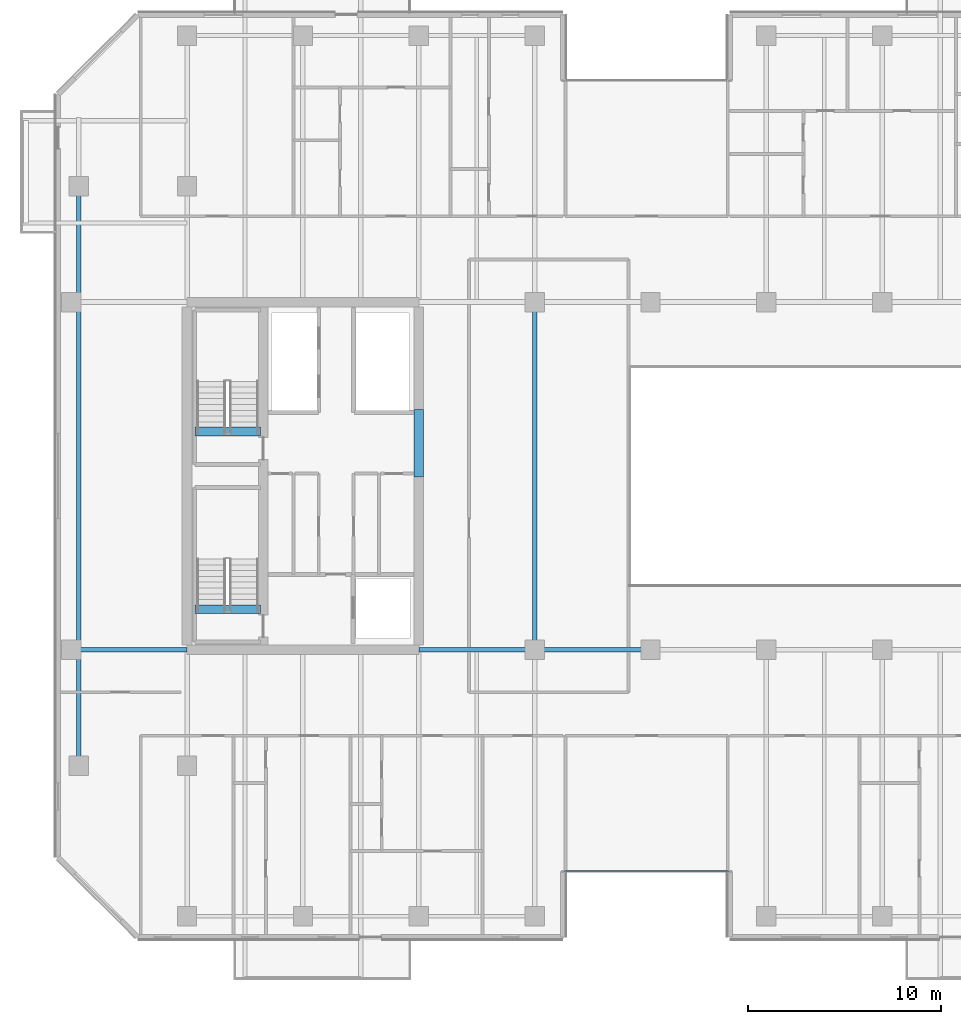
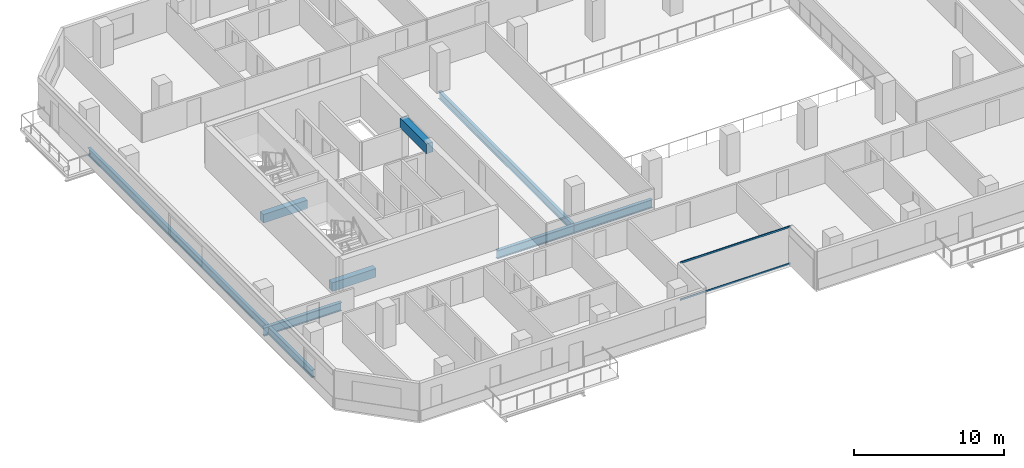
# One storey, part 3 of 23: 8 beams, 2 members, 1 element without a shape of its own.
"""IFC4 building model written with IfcOpenShell, lengths in metres."""

from ifc_helpers import new_model, si_unit, direction, frame, origin, origin_2d, place, context, subcontext, project, spatial, rectangle, hollow_rectangle, i_section, extrude, material, layer, layer_set, material_profile, profile_set, type_object, element, aggregate, save


model = new_model("IFC4")

# Units and contexts
model_context = context("Model", 3, precision=1e-05, world=origin(), true_north=direction((0.0, 1.0)))
body_context = subcontext(model_context, "Body", "Model", "MODEL_VIEW")
ifc_project = project(units=[si_unit("LENGTHUNIT", "METRE"), si_unit("AREAUNIT", "SQUARE_METRE"), si_unit("VOLUMEUNIT", "CUBIC_METRE"), si_unit("PLANEANGLEUNIT", "RADIAN"), si_unit("MASSUNIT", "GRAM", prefix="KILO")], contexts=[model_context])

# Site, building, storey
site_placement = place(None, origin())
site = spatial("IfcSite", under=ifc_project, at=site_placement, CompositionType="ELEMENT")
building_placement = place(site_placement, origin())
building = spatial("IfcBuilding", under=site, at=building_placement, Name="Tanjung Sevakor Pilgrim Tower", CompositionType="ELEMENT")
storey_placement = place(building_placement, frame((0.0, 0.0, 85.469970703125)))
storey = spatial("IfcBuildingStorey", under=building, at=storey_placement, Name="L23", CompositionType="ELEMENT", Elevation=85.469970703125)

# Beams
ifc_material_1 = material(Name="Steel S355J2", Category="steel")
ifc_material_profile_1 = material_profile(ifc_material_1, i_section(OverallWidth=0.25439453125, OverallDepth=0.6875, WebThickness=0.01318359375, FlangeThickness=0.02099609375, FilletRadius=0.01513671875, at=origin_2d()))
ifc_profile_set_1 = profile_set([ifc_material_profile_1], Name="Steel S355J2")
beam_type_1 = type_object("IfcBeamType", Name="BM-B-G2-UB_686x254x152", PredefinedType="BEAM", material=ifc_profile_set_1)
for number, where, z_axis, x_axis, name in (
    (1, (18.0, 24.60009765625, -0.563720703125), (1.0, 0.0, 0.0), (0.0, 1.0, 0.0), "L23 Primary Floor Girder MAIN Y246-01"),
    (2, (36.0, 24.60009765625, -0.563720703125), (1.0, 0.0, 0.0), (0.0, 1.0, 0.0), "L23 Primary Floor Girder MAIN Y246-02"),
    (3, (42.0, 24.60009765625, -0.563720703125), (1.0, 0.0, 0.0), (0.0, 1.0, 0.0), "L23 Primary Floor Girder MAIN Y246-03"),
):
    element("IfcBeam", number, at=place(storey_placement, frame(where, z_axis=z_axis, x_axis=x_axis)), inside=storey, type_object=beam_type_1, Name=name, PredefinedType="BEAM", context=body_context, shape_type="SweptSolid", body=[
        extrude(i_section(OverallWidth=0.25439453125, OverallDepth=0.6875, WebThickness=0.01318359375, FlangeThickness=0.02099609375, FilletRadius=0.01513671875, at=origin_2d()), origin(), (0.0, 0.0, 1.0), 6.0),
    ])
ifc_material_2 = material(Name="Steel S355J2", Category="steel")
ifc_material_profile_2 = material_profile(ifc_material_2, i_section(OverallWidth=0.230224609375, OverallDepth=0.6171875, WebThickness=0.01318359375, FlangeThickness=0.022216796875, FilletRadius=0.0126953125, at=origin_2d()))
ifc_profile_set_2 = profile_set([ifc_material_profile_2], Name="Steel S355J2")
beam_type_2 = type_object("IfcBeamType", Name="BM-B-G3-UB_610x229x140", PredefinedType="BEAM", material=ifc_profile_set_2)
beam_1_placement = place(storey_placement, frame((42.0, 24.60009765625, -0.528564453125), z_axis=(0.0, 1.0, 0.0), x_axis=(-1.0, 0.0, 0.0)))
element("IfcBeam", 4, at=beam_1_placement, inside=storey, type_object=beam_type_2, Name="L23 MAIN Girder 010", PredefinedType="BEAM", context=body_context, shape_type="SweptSolid", body=[
    extrude(i_section(OverallWidth=0.230224609375, OverallDepth=0.6171875, WebThickness=0.01318359375, FlangeThickness=0.022216796875, FilletRadius=0.0126953125, at=origin_2d()), origin(), (0.0, 0.0, 1.0), 18.0),
])
ifc_material_3 = material(Name="Steel S355J2", Category="steel")
ifc_material_profile_3 = material_profile(ifc_material_3, i_section(OverallWidth=0.22900390625, OverallDepth=0.6123046875, WebThickness=0.011962890625, FlangeThickness=0.01953125, FilletRadius=0.0126953125, at=origin_2d()))
ifc_profile_set_3 = profile_set([ifc_material_profile_3], Name="Steel S355J2")
beam_type_3 = type_object("IfcBeamType", Name="BM-B-G4-UB_610x229x125", PredefinedType="BEAM", material=ifc_profile_set_3)
beam_2_placement = place(storey_placement, frame((18.39990234375, 18.60009765625, -0.526123046875), z_axis=(0.0, 1.0, 0.0), x_axis=(-1.0, 0.0, 0.0)))
element("IfcBeam", 5, at=beam_2_placement, inside=storey, type_object=beam_type_3, Name="L23 Short-End Edge Girder W", PredefinedType="BEAM", context=body_context, shape_type="SweptSolid", body=[
    extrude(i_section(OverallWidth=0.22900390625, OverallDepth=0.6123046875, WebThickness=0.011962890625, FlangeThickness=0.01953125, FilletRadius=0.0126953125, at=origin_2d()), origin(), (0.0, 0.0, 1.0), 30.0),
])
ifc_material_4 = material(Name="Concrete C60/75", Category="concrete")
ifc_material_profile_4 = material_profile(ifc_material_4, rectangle(XDim=0.5, YDim=0.800048828125, at=origin_2d()))
ifc_profile_set_4 = profile_set([ifc_material_profile_4], Name="Concrete C60/75")
beam_type_4 = type_object("IfcBeamType", Name="BM-B-LN2-RC-BM_500x800", PredefinedType="LINTEL", material=ifc_profile_set_4)
beam_3_placement = place(storey_placement, frame((36.0, 33.550048828125, 2.679931640625), z_axis=(0.0, 1.0, 0.0), x_axis=(-1.0, 0.0, 0.0)))
element("IfcBeam", 6, at=beam_3_placement, inside=storey, type_object=beam_type_4, Name="L23 W Core Coupling Lintel", PredefinedType="LINTEL", context=body_context, shape_type="SweptSolid", body=[
    extrude(rectangle(XDim=0.5, YDim=0.800048828125, at=origin_2d()), origin(), (0.0, 0.0, 1.0), 3.5),
])
ifc_material_5 = material(Name="Concrete C60/75", Category="concrete")
ifc_material_profile_5 = material_profile(ifc_material_5, rectangle(XDim=0.449951171875, YDim=0.699951171875, at=origin_2d()))
ifc_profile_set_5 = profile_set([ifc_material_profile_5], Name="Concrete C60/75")
beam_type_5 = type_object("IfcBeamType", Name="BM-B-LN3-RC-BM_450x700", PredefinedType="LINTEL", material=ifc_profile_set_5)
for number, where, z_axis, x_axis, name in (
    (7, (24.39990234375, 26.699951171875, -0.349853515625), (1.0, 0.0, 0.0), (0.0, 1.0, 0.0), "L23 TS-W1 Stair Threshold Beam"),
    (8, (24.39990234375, 35.89990234375, -0.349853515625), (1.0, 0.0, 0.0), (0.0, 1.0, 0.0), "L23 TS-W2 Stair Threshold Beam"),
):
    element("IfcBeam", number, at=place(storey_placement, frame(where, z_axis=z_axis, x_axis=x_axis)), inside=storey, type_object=beam_type_5, Name=name, PredefinedType="LINTEL", context=body_context, shape_type="SweptSolid", body=[
        extrude(rectangle(XDim=0.449951171875, YDim=0.699951171875, at=origin_2d()), origin(), (0.0, 0.0, 1.0), 3.400146484375),
    ])

# Curtain wall, members
ifc_material_6 = material(Name="Aluminium 6063-T6 and Low-E Glass", Category="aluminium")
ifc_layer = layer(ifc_material_6, 0.179931640625)
ifc_layer_set = layer_set([ifc_layer], Name="CW-SYS-CLEFT")
curtain_wall_type = type_object("IfcCurtainWallType", Name="CW-SYS-CLEFT", PredefinedType="NOTDEFINED", material=ifc_layer_set)
curtain_wall_placement = place(storey_placement, origin())
curtain_wall = element("IfcCurtainWall", 9, at=curtain_wall_placement, inside=storey, type_object=curtain_wall_type, Name="L23 Curtain Wall CW-CLF-L23-2", PredefinedType="NOTDEFINED")
ifc_material_7 = material(Name="Aluminium 6063-T6", Category="aluminium")
ifc_material_profile_6 = material_profile(ifc_material_7, hollow_rectangle(XDim=0.06494140625, YDim=0.139892578125, WallThickness=0.00390625, at=origin_2d()))
ifc_profile_set_6 = profile_set([ifc_material_profile_6], Name="Aluminium 6063-T6")
member_type = type_object("IfcMemberType", Name="TYPE-CWT-1", PredefinedType="USERDEFINED", material=ifc_profile_set_6)
member_1_placement = place(storey_placement, frame((43.550048828125, 13.125, 0.032470703125), z_axis=(1.0, 0.0, 0.0), x_axis=(0.0, 1.0, 0.0)))
member_1 = element("IfcMember", 10, at=member_1_placement, type_object=member_type, Name="CW-CLF transom 1.1", ObjectType="TRANSOM", PredefinedType="USERDEFINED", context=body_context, shape_type="SweptSolid", body=[
    extrude(hollow_rectangle(XDim=0.06494140625, YDim=0.139892578125, WallThickness=0.00390625, at=origin_2d()), origin(), (0.0, 0.0, 1.0), 8.5),
])
member_2_placement = place(storey_placement, frame((43.550048828125, 13.125, 3.047607421875), z_axis=(1.0, 0.0, 0.0), x_axis=(0.0, 1.0, 0.0)))
member_2 = element("IfcMember", 11, at=member_2_placement, type_object=member_type, Name="CW-CLF transom 1.2", ObjectType="TRANSOM", PredefinedType="USERDEFINED", context=body_context, shape_type="SweptSolid", body=[
    extrude(hollow_rectangle(XDim=0.06494140625, YDim=0.139892578125, WallThickness=0.00390625, at=origin_2d()), origin(), (0.0, 0.0, 1.0), 8.5),
])
aggregate(curtain_wall, [member_1, member_2])

save(model, "model.ifc")
